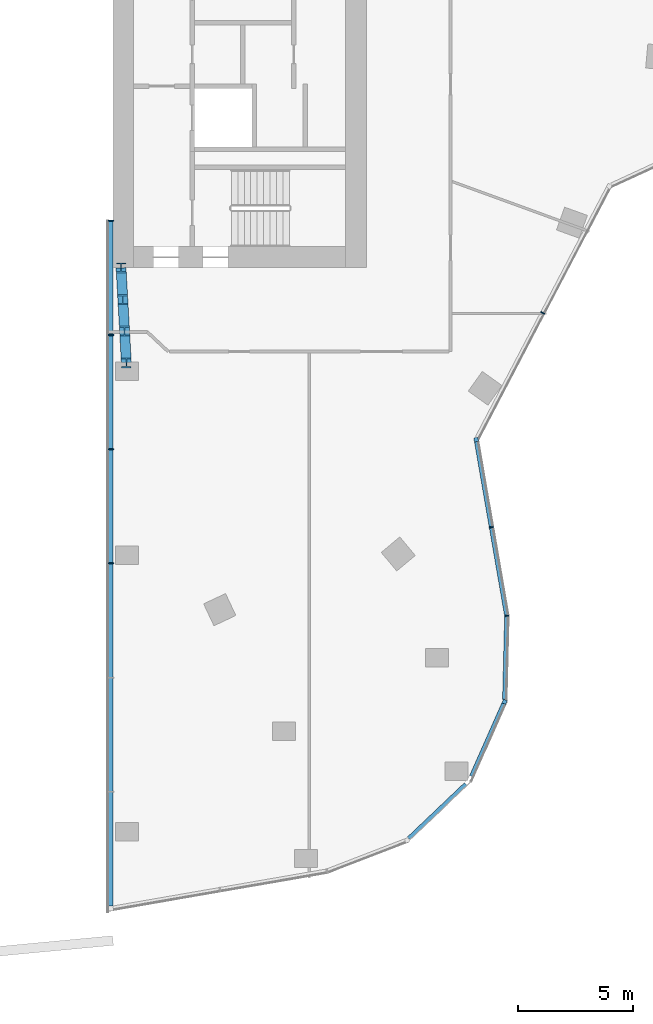
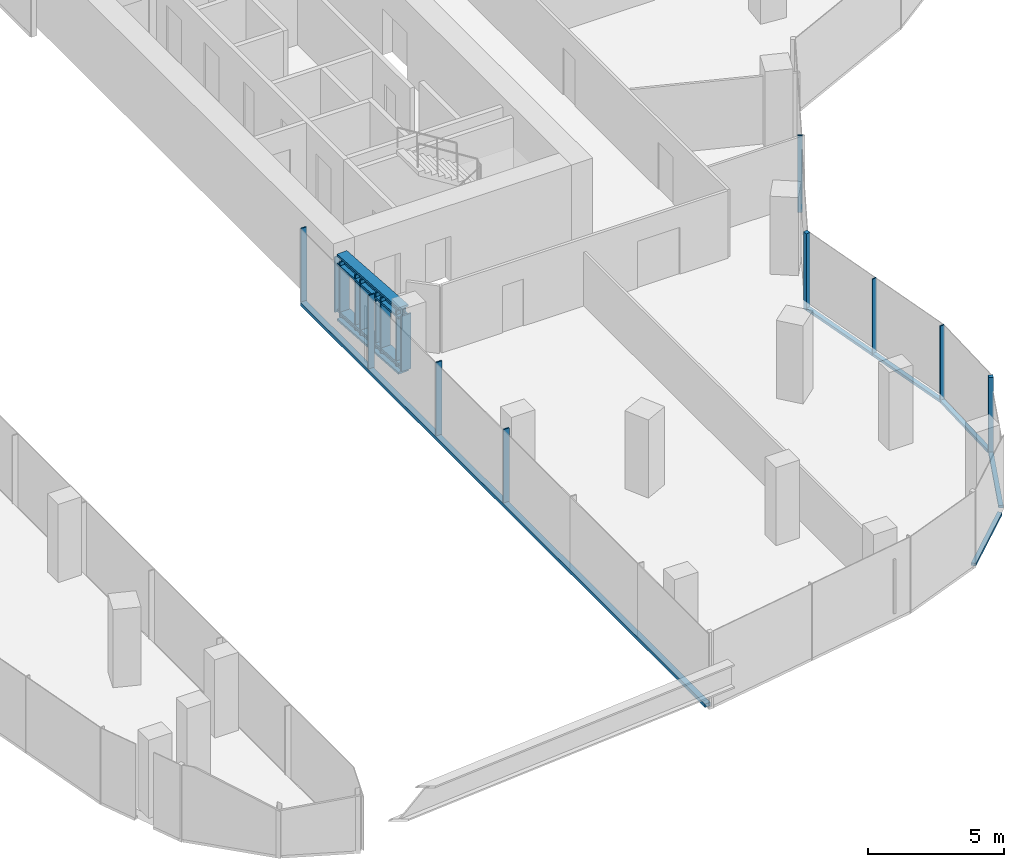
# One storey, part 4 of 24: 20 members, 6 elements without a shape of their own.
"""IFC4 building model written with IfcOpenShell, lengths in metres."""

from ifc_helpers import new_model, si_unit, direction, frame, origin, origin_2d, place, context, subcontext, project, spatial, rectangle, i_section, extrude, material, material_profile, profile_set, type_object, element, aggregate, save


model = new_model("IFC4")

# Units and contexts
model_context = context("Model", 3, precision=1e-05, world=origin(), true_north=direction((0.0, 1.0)))
body_context = subcontext(model_context, "Body", "Model", "MODEL_VIEW")
ifc_project = project(units=[si_unit("LENGTHUNIT", "METRE"), si_unit("AREAUNIT", "SQUARE_METRE"), si_unit("VOLUMEUNIT", "CUBIC_METRE"), si_unit("PLANEANGLEUNIT", "RADIAN"), si_unit("MASSUNIT", "GRAM", prefix="KILO")], contexts=[model_context])

# Site, building, storey
site_placement = place(None, origin())
site = spatial("IfcSite", under=ifc_project, at=site_placement, CompositionType="ELEMENT")
building_placement = place(site_placement, origin())
building = spatial("IfcBuilding", under=site, at=building_placement, Name="Orlundy Tower", CompositionType="ELEMENT")
storey_placement = place(building_placement, frame((0.0, 0.0, 267.5)))
storey = spatial("IfcBuildingStorey", under=building, at=storey_placement, Name="L71", CompositionType="ELEMENT", Elevation=267.5)

# Curtain wall, member
ifc_material_1 = material(Name="Aluminium bronze anodised", Category="aluminium")
curtain_wall_type = type_object("IfcCurtainWallType", Name="CW1 wall", PredefinedType="NOTDEFINED", material=ifc_material_1)
curtain_wall_1_placement = place(storey_placement, origin())
curtain_wall_1 = element("IfcCurtainWall", 1, at=curtain_wall_1_placement, inside=storey, type_object=curtain_wall_type, Name="CW1 run 112", PredefinedType="NOTDEFINED")
ifc_material_2 = material(Name="Aluminium bronze anodised", Category="aluminium")
ifc_material_profile_1 = material_profile(ifc_material_2, rectangle(XDim=0.179931640625, YDim=0.179931640625, at=origin_2d()), Name="CW1 corner post 180x180")
ifc_profile_set_1 = profile_set([ifc_material_profile_1], Name="Aluminium bronze anodised")
member_type_1 = type_object("IfcMemberType", Name="CW1 corner post 180x180", PredefinedType="MULLION", material=ifc_profile_set_1)
member_1_placement = place(storey_placement, frame((23.764892578125, -19.4736328125, -0.39990234375), z_axis=(0.0, 0.0, 1.0), x_axis=(0.985318106887, 0.170728522047, 0.0)))
member_1 = element("IfcMember", 2, at=member_1_placement, type_object=member_type_1, Name="CW1 mullion 18", PredefinedType="MULLION", context=body_context, shape_type="SweptSolid", body=[
    extrude(rectangle(XDim=0.179931640625, YDim=0.179931640625, at=origin_2d()), origin(), (0.0, 0.0, 1.0), 3.449951171875),
])

curtain_wall_2_placement = place(storey_placement, origin())
curtain_wall_2 = element("IfcCurtainWall", 3, at=curtain_wall_2_placement, inside=storey, type_object=curtain_wall_type, Name="CW1 run 114", PredefinedType="NOTDEFINED")
member_2_placement = place(storey_placement, frame((24.99853515625, -30.85400390625, -0.39990234375), z_axis=(0.0, 0.0, 1.0), x_axis=(0.914133830763, -0.405412554633, 0.0)))
member_2 = element("IfcMember", 4, at=member_2_placement, type_object=member_type_1, Name="CW1 mullion 21", PredefinedType="MULLION", context=body_context, shape_type="SweptSolid", body=[
    extrude(rectangle(XDim=0.179931640625, YDim=0.179931640625, at=origin_2d()), origin(), (0.0, 0.0, 1.0), 3.449951171875),
])

curtain_wall_3_placement = place(storey_placement, origin())
curtain_wall_3 = element("IfcCurtainWall", 5, at=curtain_wall_3_placement, inside=storey, type_object=curtain_wall_type, Name="CW1 run 111", PredefinedType="NOTDEFINED")
ifc_material_3 = material(Name="Aluminium bronze anodised", Category="aluminium")
ifc_material_profile_2 = material_profile(ifc_material_3, rectangle(XDim=0.179931640625, YDim=0.050048828125, at=origin_2d()), Name="CW1 mullion 50x180")
ifc_profile_set_2 = profile_set([ifc_material_profile_2], Name="Aluminium bronze anodised")
member_type_2 = type_object("IfcMemberType", Name="CW1 mullion 50x180", PredefinedType="MULLION", material=ifc_profile_set_2)
member_3_placement = place(storey_placement, frame((26.649658203125, -13.97119140625, -0.39990234375), z_axis=(0.0, 0.0, 1.0), x_axis=(0.885660617608, -0.464333145939, 0.0)))
member_3 = element("IfcMember", 6, at=member_3_placement, type_object=member_type_2, Name="CW1 mullion 17", PredefinedType="MULLION", context=body_context, shape_type="SweptSolid", body=[
    extrude(rectangle(XDim=0.179931640625, YDim=0.050048828125, at=origin_2d()), origin(), (0.0, 0.0, 1.0), 3.449951171875),
])
aggregate(curtain_wall_3, [member_3])

# Member
member_4_placement = place(storey_placement, frame((24.424072265625, -23.278564453125, -0.39990234375), z_axis=(0.0, 0.0, 1.0), x_axis=(0.985318106887, 0.170728522047, 0.0)))
member_4 = element("IfcMember", 7, at=member_4_placement, type_object=member_type_2, Name="CW1 mullion 19", PredefinedType="MULLION", context=body_context, shape_type="SweptSolid", body=[
    extrude(rectangle(XDim=0.179931640625, YDim=0.050048828125, at=origin_2d()), origin(), (0.0, 0.0, 1.0), 3.449951171875),
])

# Curtain wall, member
curtain_wall_4_placement = place(storey_placement, origin())
curtain_wall_4 = element("IfcCurtainWall", 8, at=curtain_wall_4_placement, inside=storey, type_object=curtain_wall_type, Name="CW1 run 113", PredefinedType="NOTDEFINED")
member_5_placement = place(storey_placement, frame((25.090087890625, -27.122314453125, -0.39990234375), z_axis=(0.0, 0.0, 1.0), x_axis=(0.9972996306, 0.073440089904, 0.0)))
member_5 = element("IfcMember", 9, at=member_5_placement, type_object=member_type_2, Name="CW1 mullion 20", PredefinedType="MULLION", context=body_context, shape_type="SweptSolid", body=[
    extrude(rectangle(XDim=0.179931640625, YDim=0.050048828125, at=origin_2d()), origin(), (0.0, 0.0, 1.0), 3.449951171875),
])

# Member
ifc_material_4 = material(Name="Aluminium bronze anodised", Category="aluminium")
ifc_material_profile_3 = material_profile(ifc_material_4, rectangle(XDim=0.179931640625, YDim=0.1201171875, at=origin_2d()), Name="CW1 transom 180x120")
ifc_profile_set_3 = profile_set([ifc_material_profile_3], Name="Aluminium bronze anodised")
member_type_3 = type_object("IfcMemberType", Name="CW1 transom 180x120", PredefinedType="USERDEFINED", material=ifc_profile_set_3)
member_6_placement = place(storey_placement, frame((23.7802734375, -19.5625, -0.340087890625), z_axis=(0.170732175042, -0.985317473917, 0.0), x_axis=(0.985317473917, 0.170732175042, 0.0)))
member_6 = element("IfcMember", 10, at=member_6_placement, type_object=member_type_3, Name="CW1 transom", ObjectType="TRANSOM", PredefinedType="USERDEFINED", context=body_context, shape_type="SweptSolid", body=[
    extrude(rectangle(XDim=0.179931640625, YDim=0.1201171875, at=origin_2d()), origin(), (0.0, 0.0, 1.0), 7.6474609375),
])

aggregate(curtain_wall_1, [member_1, member_4, member_6])

member_7_placement = place(storey_placement, frame((25.089599609375, -27.1474609375, -0.340087890625), z_axis=(-0.024546173371, -0.999698697295, 0.0), x_axis=(0.999698697295, -0.024546173371, 0.0)))
member_7 = element("IfcMember", 11, at=member_7_placement, type_object=member_type_3, Name="CW1 transom", ObjectType="TRANSOM", PredefinedType="USERDEFINED", context=body_context, shape_type="SweptSolid", body=[
    extrude(rectangle(XDim=0.179931640625, YDim=0.1201171875, at=origin_2d()), origin(), (0.0, 0.0, 1.0), 3.6103515625),
])

aggregate(curtain_wall_4, [member_5, member_7])

member_8_placement = place(storey_placement, frame((24.962158203125, -30.936279296875, -0.340087890625), z_axis=(-0.405447673371, -0.914118255018, 0.0), x_axis=(0.914118255018, -0.405447673371, 0.0)))
member_8 = element("IfcMember", 12, at=member_8_placement, type_object=member_type_3, Name="CW1 transom", ObjectType="TRANSOM", PredefinedType="USERDEFINED", context=body_context, shape_type="SweptSolid", body=[
    extrude(rectangle(XDim=0.179931640625, YDim=0.1201171875, at=origin_2d()), origin(), (0.0, 0.0, 1.0), 3.443603515625),
])

aggregate(curtain_wall_2, [member_2, member_8])

# Curtain wall, member
curtain_wall_5_placement = place(storey_placement, origin())
curtain_wall_5 = element("IfcCurtainWall", 13, at=curtain_wall_5_placement, inside=storey, type_object=curtain_wall_type, Name="CW1 run 115", PredefinedType="NOTDEFINED")
member_9_placement = place(storey_placement, frame((23.322265625, -34.427001953125, -0.340087890625), z_axis=(-0.724456491163, -0.689320529516, 0.0), x_axis=(0.689320529516, -0.724456491163, 0.0)))
member_9 = element("IfcMember", 14, at=member_9_placement, type_object=member_type_3, Name="CW1 transom", ObjectType="TRANSOM", PredefinedType="USERDEFINED", context=body_context, shape_type="SweptSolid", body=[
    extrude(rectangle(XDim=0.179931640625, YDim=0.1201171875, at=origin_2d()), origin(), (0.0, 0.0, 1.0), 3.425537109375),
])
aggregate(curtain_wall_5, [member_9])

# Curtain wall, members
curtain_wall_6_placement = place(storey_placement, origin())
curtain_wall_6 = element("IfcCurtainWall", 15, at=curtain_wall_6_placement, inside=storey, type_object=curtain_wall_type, Name="CW1 run 118", PredefinedType="NOTDEFINED")
ifc_material_5 = material(Name="Aluminium bronze anodised", Category="aluminium")
ifc_material_profile_4 = material_profile(ifc_material_5, rectangle(XDim=0.239990234375, YDim=0.050048828125, at=origin_2d()), Name="CW6 mullion 50x240")
ifc_profile_set_4 = profile_set([ifc_material_profile_4], Name="Aluminium bronze anodised")
member_type_4 = type_object("IfcMemberType", Name="CW6 mullion 50x240", PredefinedType="MULLION", material=ifc_profile_set_4)
member_10_placement = place(storey_placement, frame((7.909912109375, -24.846435546875, -0.39990234375), z_axis=(0.0, 0.0, 1.0), x_axis=(-1.0, 0.0, 0.0)))
member_10 = element("IfcMember", 16, at=member_10_placement, type_object=member_type_4, Name="CW6 mullion 29", PredefinedType="MULLION", context=body_context, shape_type="SweptSolid", body=[
    extrude(rectangle(XDim=0.239990234375, YDim=0.050048828125, at=origin_2d()), origin(), (0.0, 0.0, 1.0), 3.449951171875),
])
member_11_placement = place(storey_placement, frame((7.909912109375, -19.8896484375, -0.39990234375), z_axis=(0.0, 0.0, 1.0), x_axis=(-1.0, 0.0, 0.0)))
member_11 = element("IfcMember", 17, at=member_11_placement, type_object=member_type_4, Name="CW6 mullion 30", PredefinedType="MULLION", context=body_context, shape_type="SweptSolid", body=[
    extrude(rectangle(XDim=0.239990234375, YDim=0.050048828125, at=origin_2d()), origin(), (0.0, 0.0, 1.0), 3.449951171875),
])
member_12_placement = place(storey_placement, frame((7.909912109375, -14.9326171875, -0.39990234375), z_axis=(0.0, 0.0, 1.0), x_axis=(-1.0, 0.0, 0.0)))
member_12 = element("IfcMember", 18, at=member_12_placement, type_object=member_type_4, Name="CW6 mullion 31", PredefinedType="MULLION", context=body_context, shape_type="SweptSolid", body=[
    extrude(rectangle(XDim=0.239990234375, YDim=0.050048828125, at=origin_2d()), origin(), (0.0, 0.0, 1.0), 3.449951171875),
])
member_13_placement = place(storey_placement, frame((7.909912109375, -9.975830078125, -0.39990234375), z_axis=(0.0, 0.0, 1.0), x_axis=(-1.0, 0.0, 0.0)))
member_13 = element("IfcMember", 19, at=member_13_placement, type_object=member_type_4, Name="CW6 mullion 32", PredefinedType="MULLION", context=body_context, shape_type="SweptSolid", body=[
    extrude(rectangle(XDim=0.239990234375, YDim=0.050048828125, at=origin_2d()), origin(), (0.0, 0.0, 1.0), 3.449951171875),
])
ifc_material_6 = material(Name="Aluminium bronze anodised", Category="aluminium")
ifc_material_profile_5 = material_profile(ifc_material_6, rectangle(XDim=0.239990234375, YDim=0.159912109375, at=origin_2d()), Name="CW6 transom 240x160")
ifc_profile_set_5 = profile_set([ifc_material_profile_5], Name="Aluminium bronze anodised")
member_type_5 = type_object("IfcMemberType", Name="CW6 transom 240x160", PredefinedType="USERDEFINED", material=ifc_profile_set_5)
member_14_placement = place(storey_placement, frame((7.8798828125, -39.717041015625, -0.320068359375), z_axis=(0.0, 1.0, 0.0), x_axis=(-1.0, 0.0, 0.0)))
member_14 = element("IfcMember", 20, at=member_14_placement, type_object=member_type_5, Name="CW6 transom", ObjectType="TRANSOM", PredefinedType="USERDEFINED", context=body_context, shape_type="SweptSolid", body=[
    extrude(rectangle(XDim=0.239990234375, YDim=0.159912109375, at=origin_2d()), origin(), (0.0, 0.0, 1.0), 29.716064453125),
])
aggregate(curtain_wall_6, [member_10, member_11, member_12, member_13, member_14])

# Members
ifc_material_7 = material(Name="Steel ASTM A992 Gr 50", Category="steel")
ifc_material_profile_6 = material_profile(ifc_material_7, i_section(OverallWidth=0.43212890625, OverallDepth=0.497802734375, WebThickness=0.0556640625, FlangeThickness=0.0888671875, at=origin_2d()), Name="W14X500")
ifc_profile_set_6 = profile_set([ifc_material_profile_6], Name="Steel ASTM A992 Gr 50")
member_type_6 = type_object("IfcMemberType", Name="PORTAL EDGE TRUSS chord W14X500", PredefinedType="CHORD", material=ifc_profile_set_6)
for number, where, z_axis, x_axis, name in (
    (21, (8.35009765625, -12.02001953125, 0.28466796875), (0.05566660133, -0.998449412588, 0.0), (0.998449412588, 0.05566660133, 0.0), "Portal edge truss bottom chord PE-ES"),
    (22, (8.35009765625, -12.02001953125, 2.765380859375), (0.05566660133, -0.998449412588, 0.0), (0.998449412588, 0.05566660133, 0.0), "Portal edge truss top chord PE-ES"),
):
    element("IfcMember", number, at=place(storey_placement, frame(where, z_axis=z_axis, x_axis=x_axis)), inside=storey, type_object=member_type_6, Name=name, PredefinedType="CHORD", context=body_context, shape_type="SweptSolid", body=[
        extrude(i_section(OverallWidth=0.43212890625, OverallDepth=0.497802734375, WebThickness=0.0556640625, FlangeThickness=0.0888671875, at=origin_2d()), origin(), (0.0, 0.0, 1.0), 4.126953125),
    ])
ifc_material_8 = material(Name="Steel ASTM A992 Gr 50", Category="steel")
ifc_material_profile_7 = material_profile(ifc_material_8, i_section(OverallWidth=0.412109375, OverallDepth=0.434814453125, WebThickness=0.035888671875, FlangeThickness=0.057373046875, at=origin_2d()), Name="W14X311")
ifc_profile_set_7 = profile_set([ifc_material_profile_7], Name="Steel ASTM A992 Gr 50")
member_type_7 = type_object("IfcMemberType", Name="PORTAL EDGE TRUSS post W14X311", PredefinedType="POST", material=ifc_profile_set_7)
for number, where, z_axis, x_axis, name in (
    (23, (8.35009765625, -12.02001953125, 0.28466796875), (0.0, 0.0, 1.0), (1.0, 0.0, 0.0), "Portal edge truss post PE-ES-0"),
    (24, (8.426513671875, -13.3935546875, 0.28466796875), (0.0, 0.0, 1.0), (1.0, 0.0, 0.0), "Portal edge truss post PE-ES-1"),
    (25, (8.50341796875, -14.76708984375, 0.28466796875), (0.0, 0.0, 1.0), (1.0, 0.0, 0.0), "Portal edge truss post PE-ES-2"),
    (26, (8.579833984375, -16.140625, 0.28466796875), (0.0, 0.0, 1.0), (1.0, 0.0, 0.0), "Portal edge truss post PE-ES-3"),
):
    element("IfcMember", number, at=place(storey_placement, frame(where, z_axis=z_axis, x_axis=x_axis)), inside=storey, type_object=member_type_7, Name=name, PredefinedType="POST", context=body_context, shape_type="SweptSolid", body=[
        extrude(i_section(OverallWidth=0.412109375, OverallDepth=0.434814453125, WebThickness=0.035888671875, FlangeThickness=0.057373046875, at=origin_2d()), origin(), (0.0, 0.0, 1.0), 2.480712890625),
    ])

save(model, "model.ifc")
